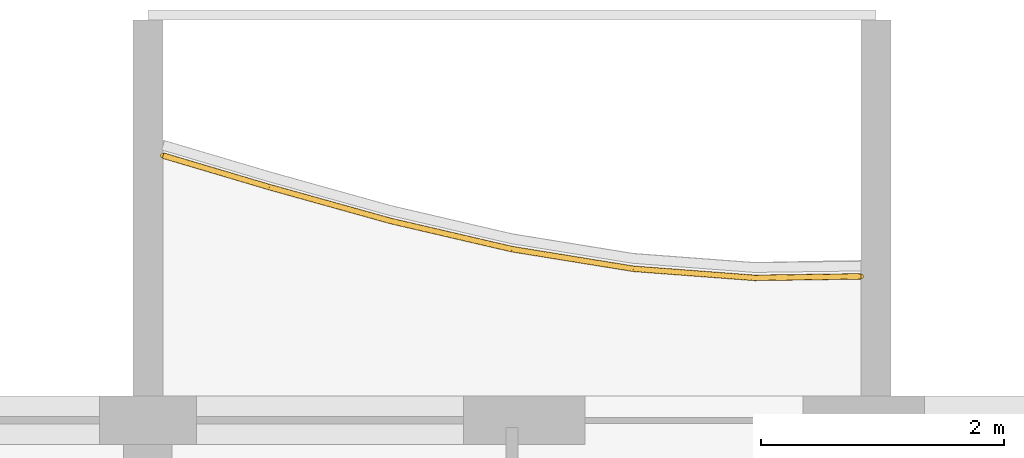
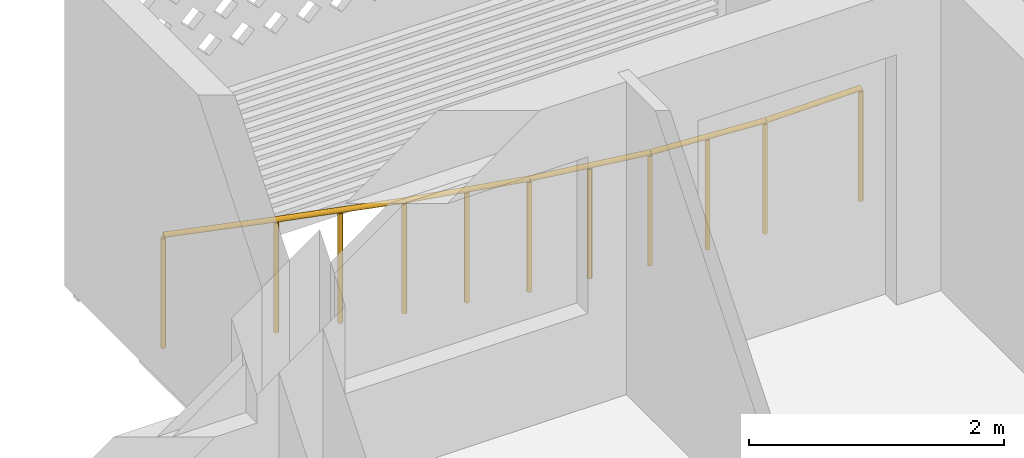
# One storey, part 22 of 38: 1 railing.
"""IFC4 building model written with IfcOpenShell, lengths in metres."""

from ifc_helpers import new_model, si_unit, direction, frame, origin, origin_2d, place, context, subcontext, project, spatial, circle, extrude, material, type_object, element, save


model = new_model("IFC4")

# Units and contexts
model_context = context("Model", 3, precision=1e-05, world=origin(), true_north=direction((0.0, 1.0)))
body_context = subcontext(model_context, "Body", "Model", "MODEL_VIEW")
ifc_project = project(units=[si_unit("LENGTHUNIT", "METRE"), si_unit("AREAUNIT", "SQUARE_METRE"), si_unit("VOLUMEUNIT", "CUBIC_METRE"), si_unit("PLANEANGLEUNIT", "RADIAN"), si_unit("MASSUNIT", "GRAM", prefix="KILO")], contexts=[model_context])

# Site, building, storey
site_placement = place(None, origin())
site = spatial("IfcSite", under=ifc_project, at=site_placement, CompositionType="ELEMENT")
building_placement = place(site_placement, origin())
building = spatial("IfcBuilding", under=site, at=building_placement, Name="Poui Terraces", CompositionType="ELEMENT")
storey_placement = place(building_placement, frame((0.0, 0.0, 49.800048828125)))
storey = spatial("IfcBuildingStorey", under=building, at=storey_placement, Name="L13", CompositionType="ELEMENT", Elevation=49.800048828125)

# Railing
ifc_material = material(Name="Painted steel fretwork", Category="steel")
railing_type = type_object("IfcRailingType", Name="BALCONY GUARD 1100", PredefinedType="GUARDRAIL", material=ifc_material)
railing_placement = place(storey_placement, frame((18.125, 46.981689453125, 0.0)))
element("IfcRailing", 1, at=railing_placement, inside=storey, type_object=railing_type, Name="BALCONY GUARD", PredefinedType="GUARDRAIL", context=body_context, shape_type="SweptSolid", body=[
    extrude(circle(Radius=0.02392578125, at=origin_2d()), frame((0.0, 0.0, 1.076171875), z_axis=(0.95871981657, -0.284352445595, 0.0), x_axis=(0.284352445595, 0.95871981657, 0.0)), (0.0, 0.0, 1.0), 0.91259765625),
    extrude(circle(Radius=0.02392578125, at=origin_2d()), frame((0.875, -0.259521484375, 1.076171875), z_axis=(0.963261408291, -0.268565558659, 0.0), x_axis=(0.268565558659, 0.963261408291, 0.0)), (0.0, 0.0, 1.0), 1.0380859375),
    extrude(circle(Radius=0.02392578125, at=origin_2d()), frame((1.875, -0.538330078125, 1.076171875), z_axis=(0.974037301865, -0.226387576019, 0.0), x_axis=(0.226387576019, 0.974037301865, 0.0)), (0.0, 0.0, 1.0), 1.026611328125),
    extrude(circle(Radius=0.02392578125, at=origin_2d()), frame((2.875, -0.770751953125, 1.076171875), z_axis=(0.987151750337, -0.159785549432, 0.0), x_axis=(0.159785549432, 0.987151750337, 0.0)), (0.0, 0.0, 1.0), 1.012939453125),
    extrude(circle(Radius=0.02392578125, at=origin_2d()), frame((3.875, -0.9326171875, 1.076171875), z_axis=(0.997202940152, -0.074741528962, 0.0), x_axis=(0.074741528962, 0.997202940152, 0.0)), (0.0, 0.0, 1.0), 1.002685546875),
    extrude(circle(Radius=0.02392578125, at=origin_2d()), frame((4.875, -1.007568359375, 1.076171875), z_axis=(0.999902700497, 0.013949535442, 0.0), x_axis=(-0.013949535442, 0.999902700497, 0.0)), (0.0, 0.0, 1.0), 0.875),
    extrude(circle(Radius=0.02099609375, at=origin_2d()), origin(), (0.0, 0.0, 1.0), 1.052001953125),
    extrude(circle(Radius=0.02099609375, at=origin_2d()), frame((0.875, -0.259521484375, 0.0)), (0.0, 0.0, 1.0), 1.052001953125),
    extrude(circle(Radius=0.02099609375, at=origin_2d()), frame((1.375, -0.39892578125, 0.0)), (0.0, 0.0, 1.0), 1.052001953125),
    extrude(circle(Radius=0.02099609375, at=origin_2d()), frame((1.875, -0.538330078125, 0.0)), (0.0, 0.0, 1.0), 1.052001953125),
    extrude(circle(Radius=0.02099609375, at=origin_2d()), frame((2.375, -0.654541015625, 0.0)), (0.0, 0.0, 1.0), 1.052001953125),
    extrude(circle(Radius=0.02099609375, at=origin_2d()), frame((2.875, -0.770751953125, 0.0)), (0.0, 0.0, 1.0), 1.052001953125),
    extrude(circle(Radius=0.02099609375, at=origin_2d()), frame((3.375, -0.8515625, 0.0)), (0.0, 0.0, 1.0), 1.052001953125),
    extrude(circle(Radius=0.02099609375, at=origin_2d()), frame((3.875, -0.9326171875, 0.0)), (0.0, 0.0, 1.0), 1.052001953125),
    extrude(circle(Radius=0.02099609375, at=origin_2d()), frame((4.375, -0.97021484375, 0.0)), (0.0, 0.0, 1.0), 1.052001953125),
    extrude(circle(Radius=0.02099609375, at=origin_2d()), frame((4.875, -1.007568359375, 0.0)), (0.0, 0.0, 1.0), 1.052001953125),
    extrude(circle(Radius=0.02099609375, at=origin_2d()), frame((5.75, -0.995361328125, 0.0)), (0.0, 0.0, 1.0), 1.052001953125),
])

save(model, "model.ifc")
